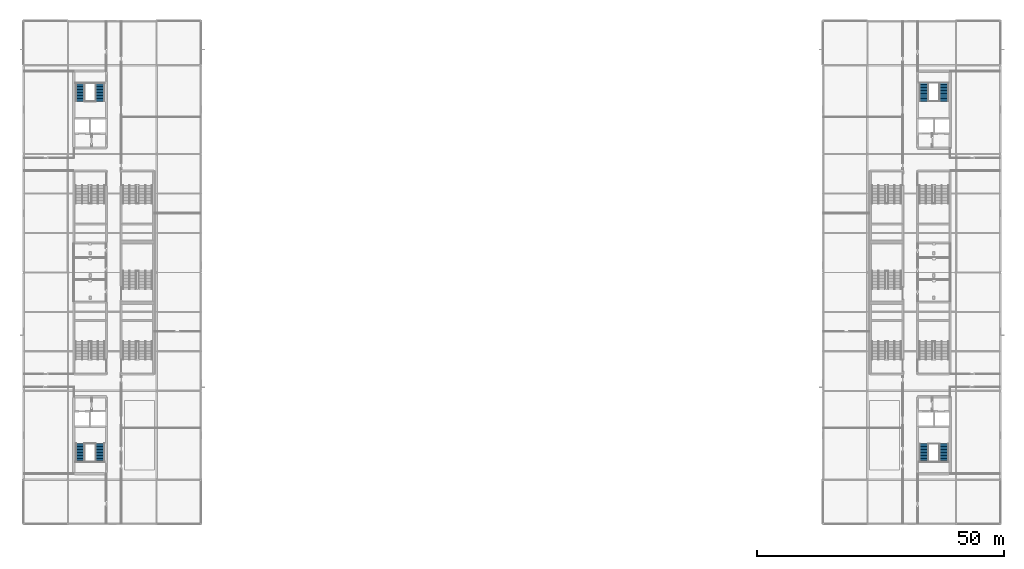
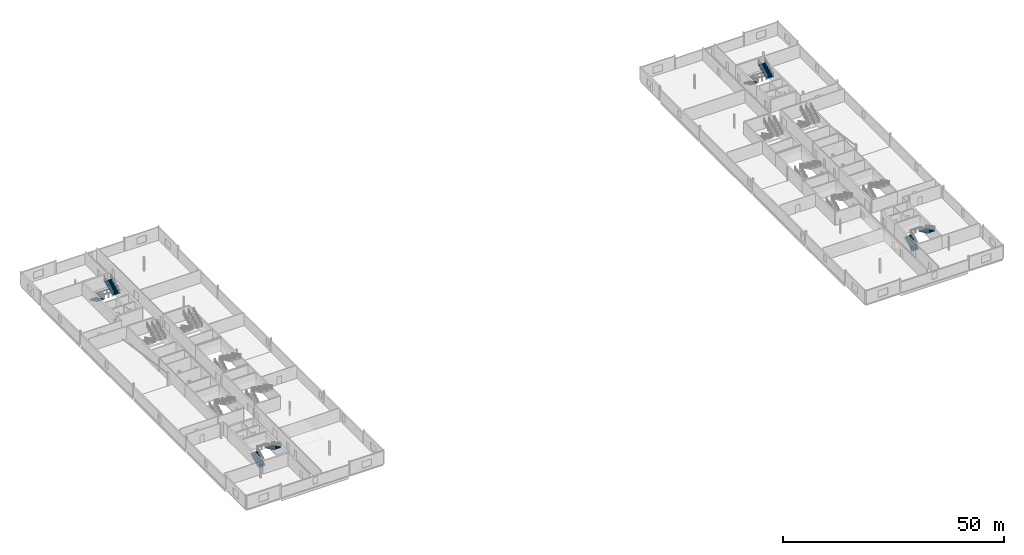
# One storey, part 21 of 31: 8 stair flights, 4 elements without a shape of their own.
"""IFC4 building model written with IfcOpenShell, lengths in metres."""

import ifcopenshell
import ifcopenshell.guid

model = None  # the IFC model being written
_history = None  # IfcOwnerHistory: only IFC2X3 demands one
_inside = {}  # id of a spatial element -> (the spatial element, [elements in it])
_under = {}  # id of a project, library or spatial element -> (it, [spatial elements below it])
_declared = {}  # id of a project -> (the project, [libraries it declares])
_typed = {}  # id of a type object -> (the type object, [elements of that type])
_made_of = {}  # id of a material, layer set ... -> (it, [elements and type objects made of it])


def new_model(schema):
    """Start an empty IFC model of exactly this schema.

    Asked for "IFC4X3", IfcOpenShell would pick the latest addendum, in which some entities
    have other attributes; the version numbers below select the first issue.
    IFC2X3 requires an IfcOwnerHistory on every rooted entity: one is made here for all.
    """
    global model, _history
    if schema == "IFC4X3":
        model = ifcopenshell.file(schema_version=(4, 3, 0, 0))
    else:
        model = ifcopenshell.file(schema=schema)
    _inside.clear()
    _under.clear()
    _declared.clear()
    _typed.clear()
    _made_of.clear()
    _history = None
    if model.schema == "IFC2X3":
        org = make("IfcOrganization", Name="unknown")
        user = make(
            "IfcPersonAndOrganization",
            ThePerson=make("IfcPerson", FamilyName="unknown"),
            TheOrganization=org,
        )
        app = make(
            "IfcApplication",
            ApplicationDeveloper=org,
            Version="unknown",
            ApplicationFullName="unknown",
            ApplicationIdentifier="unknown",
        )
        _history = make(
            "IfcOwnerHistory",
            OwningUser=user,
            OwningApplication=app,
            ChangeAction="ADDED",
            CreationDate=0,
        )
    return model


def make(cls, **values):
    """One entity of the class cls with the attributes given. An attribute that is None is left unset."""
    return model.create_entity(
        cls, **{name: value for name, value in values.items() if value is not None}
    )


def rooted(cls, **values):
    """An entity with a GlobalId (a new one), such as an element, a storey or a relation."""
    return make(cls, GlobalId=ifcopenshell.guid.new(), OwnerHistory=_history, **values)


def si_unit(unit_type, name, prefix=None):
    """IfcSIUnit, for example si_unit("LENGTHUNIT", "METRE", prefix="MILLI")."""
    return make("IfcSIUnit", UnitType=unit_type, Prefix=prefix, Name=name)


def assignment(units):
    """IfcUnitAssignment: the units of a project."""
    return None if units is None else make("IfcUnitAssignment", Units=units)


def point(xyz):
    """IfcCartesianPoint."""
    return None if xyz is None else make("IfcCartesianPoint", Coordinates=xyz)


def direction(xyz):
    """IfcDirection."""
    return None if xyz is None else make("IfcDirection", DirectionRatios=xyz)


def frame(location, z_axis=None, x_axis=None):
    """IfcAxis2Placement3D, a coordinate frame: its origin and axes. An axis left out is left unset."""
    return make(
        "IfcAxis2Placement3D",
        Location=point(location),
        Axis=direction(z_axis),
        RefDirection=direction(x_axis),
    )


def origin():
    """The frame at (0, 0, 0) with its axes left unset."""
    return frame((0.0, 0.0, 0.0))


def place(relative_to, where):
    """IfcLocalPlacement: puts the frame where relative to a parent placement (None: the world)."""
    return make(
        "IfcLocalPlacement", PlacementRelTo=relative_to, RelativePlacement=where
    )


def context(
    kind, dimensions, precision=None, world=None, true_north=None, identifier=None
):
    """IfcGeometricRepresentationContext, for example the 3D "Model" context."""
    return make(
        "IfcGeometricRepresentationContext",
        ContextIdentifier=identifier,
        ContextType=kind,
        CoordinateSpaceDimension=dimensions,
        Precision=precision,
        WorldCoordinateSystem=world,
        TrueNorth=true_north,
    )


def subcontext(parent, identifier, kind, view, scale=None):
    """IfcGeometricRepresentationSubContext, for example "Body" below "Model"."""
    return make(
        "IfcGeometricRepresentationSubContext",
        ContextIdentifier=identifier,
        ContextType=kind,
        ParentContext=parent,
        TargetScale=scale,
        TargetView=view,
    )


def project(units=None, contexts=None):
    """IfcProject with its units and contexts."""
    return rooted(
        "IfcProject",
        Name="project",
        RepresentationContexts=contexts,
        UnitsInContext=assignment(units),
    )


def spatial(cls, under=None, at=None, **own):
    """A site, building, storey or space (cls), placed at a placement, below another one or the project."""
    s = rooted(cls, ObjectPlacement=at, **own)
    if under is not None:
        _under.setdefault(under.id(), (under, []))[1].append(s)
    return s


def polyline(points):
    """IfcPolyline through the points."""
    return make("IfcPolyline", Points=[point(p) for p in points])


def outline(outer, holes=None, kind="AREA"):
    """IfcArbitraryClosedProfileDef: a profile drawn as a closed curve; with holes, ...WithVoids."""
    if holes is None:
        return make("IfcArbitraryClosedProfileDef", ProfileType=kind, OuterCurve=outer)
    return make(
        "IfcArbitraryProfileDefWithVoids",
        ProfileType=kind,
        OuterCurve=outer,
        InnerCurves=holes,
    )


def extrude(swept, where, along, depth):
    """IfcExtrudedAreaSolid: the profile swept, set in the frame where, extruded along a direction by depth."""
    return make(
        "IfcExtrudedAreaSolid",
        SweptArea=swept,
        Position=where,
        ExtrudedDirection=direction(along),
        Depth=depth,
    )


def shape(context_of_items, identifier, shape_type, items):
    """IfcShapeRepresentation: the items that make up one representation, for example the "Body"."""
    return make(
        "IfcShapeRepresentation",
        ContextOfItems=context_of_items,
        RepresentationIdentifier=identifier,
        RepresentationType=shape_type,
        Items=items,
    )


def material(Name=None, Category=None):
    """IfcMaterial."""
    return make("IfcMaterial", Name=Name, Category=Category)


def made_of(thing, what):
    """Note that an element or type object is made of a material, layer set ...; save() writes the relation."""
    if what is not None:
        _made_of.setdefault(what.id(), (what, []))[1].append(thing)
    return thing


def type_object(cls, material=None, **own):
    """A type object (cls), such as IfcWallType, which elements share."""
    return made_of(rooted(cls, **own), material)


def element(
    cls,
    number,
    at=None,
    inside=None,
    cuts=None,
    type_object=None,
    material=None,
    context=None,
    identifier="Body",
    shape_type=None,
    held_by="IfcProductDefinitionShape",
    body=None,
    shapes=None,
    **own,
):
    """One element of the class cls, such as IfcWall. Its Tag is "e" and its number.

    at: its placement. inside: the storey or other place that contains it. cuts: it is an
    opening in that element (IfcRelVoidsElement). A single representation is given by context,
    identifier, shape_type and body (its items); several are given by shapes. held_by: the class
    of the entity that holds the representations. save() writes the other relations.
    """
    e = rooted(cls, Tag="e%d" % number, ObjectPlacement=at, **own)
    if body is not None:
        shapes = [shape(context, identifier, shape_type, body)]
    if shapes is not None:
        e.Representation = make(held_by, Representations=shapes)
    if inside is not None:
        _inside.setdefault(inside.id(), (inside, []))[1].append(e)
    if cuts is not None:
        rooted(
            "IfcRelVoidsElement", RelatingBuildingElement=cuts, RelatedOpeningElement=e
        )
    if type_object is not None:
        _typed.setdefault(type_object.id(), (type_object, []))[1].append(e)
    return made_of(e, material)


def aggregate(whole, parts):
    """IfcRelAggregates: a whole, such as a stair, and the parts it consists of."""
    return rooted("IfcRelAggregates", RelatingObject=whole, RelatedObjects=parts)


def save(model, path):
    """Write the relations noted so far, then the file.

    IfcRelAggregates (storeys below a building ...), IfcRelContainedInSpatialStructure (elements
    in a storey), IfcRelDefinesByType, IfcRelAssociatesMaterial and IfcRelDeclares: one each for
    every whole, place, type object, material and project.
    """
    for whole, parts in _under.values():
        aggregate(whole, parts)
    for where, things in _inside.values():
        rooted(
            "IfcRelContainedInSpatialStructure",
            RelatedElements=things,
            RelatingStructure=where,
        )
    for kind, things in _typed.values():
        rooted("IfcRelDefinesByType", RelatedObjects=things, RelatingType=kind)
    for what, things in _made_of.values():
        rooted("IfcRelAssociatesMaterial", RelatedObjects=things, RelatingMaterial=what)
    for by, libraries in _declared.values():
        rooted("IfcRelDeclares", RelatingContext=by, RelatedDefinitions=libraries)
    model.write(path)


model = new_model("IFC4")

# Units and contexts
model_context = context("Model", 3, precision=1e-05, world=origin(), true_north=direction((0.0, 1.0)))
body_context = subcontext(model_context, "Body", "Model", "MODEL_VIEW")
ifc_project = project(units=[si_unit("LENGTHUNIT", "METRE"), si_unit("AREAUNIT", "SQUARE_METRE"), si_unit("VOLUMEUNIT", "CUBIC_METRE"), si_unit("PLANEANGLEUNIT", "RADIAN"), si_unit("MASSUNIT", "GRAM", prefix="KILO")], contexts=[model_context])

# Site, building, storey
site_placement = place(None, origin())
site = spatial("IfcSite", under=ifc_project, at=site_placement, CompositionType="ELEMENT")
building_placement = place(site_placement, origin())
building = spatial("IfcBuilding", under=site, at=building_placement, Name="Kisiwana Market Hall", CompositionType="ELEMENT")
storey_placement = place(building_placement, frame((0.0, 0.0, 45.60009765625)))
storey = spatial("IfcBuildingStorey", under=building, at=storey_placement, Name="L10", CompositionType="ELEMENT", Elevation=45.60009765625)

# Stair, stair flights
ifc_material_1 = material(Name="Concrete C32/40", Category="concrete")
stair_type = type_object("IfcStairType", Name="ST-TWR-3900", PredefinedType="TWO_STRAIGHT_RUN_STAIR", material=ifc_material_1)
stair_1_placement = place(storey_placement, origin())
stair_1 = element("IfcStair", 1, at=stair_1_placement, inside=storey, type_object=stair_type, Name="Escape stair ST-W2-L10", PredefinedType="TWO_STRAIGHT_RUN_STAIR")
ifc_material_2 = material(Name="Concrete C32/40", Category="concrete")
stair_flight_type = type_object("IfcStairFlightType", Name="SF-TWR-3900", PredefinedType="STRAIGHT", material=ifc_material_2)
stair_flight_1_placement = place(storey_placement, frame((11.5, 21.674560546875, 0.0), z_axis=(0.0, 0.0, 1.0), x_axis=(0.0, 1.0, 0.0)))
stair_flight_1 = element("IfcStairFlight", 2, at=stair_flight_1_placement, type_object=stair_flight_type, Name="ST-W2-L10 flight 1", NumberOfRisers=13, NumberOfTreads=12, PredefinedType="STRAIGHT", RiserHeight=0.15, TreadLength=0.305, context=body_context, shape_type="SweptSolid", body=[
    extrude(outline(polyline([(0.0, 0.0), (0.0, 0.14990234375), (0.304931640625, 0.14990234375), (0.304931640625, 0.300048828125), (0.610107421875, 0.300048828125), (0.610107421875, 0.449951171875), (0.9150390625, 0.449951171875), (0.9150390625, 0.60009765625), (1.219970703125, 0.60009765625), (1.219970703125, 0.75), (1.52490234375, 0.75), (1.52490234375, 0.89990234375), (1.830078125, 0.89990234375), (1.830078125, 1.050048828125), (2.135009765625, 1.050048828125), (2.135009765625, 1.199951171875), (2.43994140625, 1.199951171875), (2.43994140625, 1.35009765625), (2.7451171875, 1.35009765625), (2.7451171875, 1.5), (3.050048828125, 1.5), (3.050048828125, 1.64990234375), (3.35498046875, 1.64990234375), (3.35498046875, 1.800048828125), (3.659912109375, 1.800048828125), (3.659912109375, 1.949951171875), (3.659912109375, 1.599365234375), (0.40771484375, 0.0), (0.0, 0.0)])), frame((0.0, 0.925048828125, 0.0), z_axis=(0.0, -1.0, 0.0), x_axis=(1.0, 0.0, 0.0)), (0.0, 0.0, 1.0), 1.85009765625),
])
stair_flight_2_placement = place(storey_placement, frame((15.5, 25.33447265625, 1.949951171875), z_axis=(0.0, 0.0, 1.0), x_axis=(0.0, -1.0, 0.0)))
stair_flight_2 = element("IfcStairFlight", 3, at=stair_flight_2_placement, type_object=stair_flight_type, Name="ST-W2-L10 flight 2", NumberOfRisers=13, NumberOfTreads=12, PredefinedType="STRAIGHT", RiserHeight=0.15, TreadLength=0.305, context=body_context, shape_type="SweptSolid", body=[
    extrude(outline(polyline([(0.0, 0.0), (0.0, 0.14990234375), (0.304931640625, 0.14990234375), (0.304931640625, 0.300048828125), (0.610107421875, 0.300048828125), (0.610107421875, 0.449951171875), (0.9150390625, 0.449951171875), (0.9150390625, 0.60009765625), (1.219970703125, 0.60009765625), (1.219970703125, 0.75), (1.52490234375, 0.75), (1.52490234375, 0.89990234375), (1.830078125, 0.89990234375), (1.830078125, 1.050048828125), (2.135009765625, 1.050048828125), (2.135009765625, 1.199951171875), (2.43994140625, 1.199951171875), (2.43994140625, 1.35009765625), (2.7451171875, 1.35009765625), (2.7451171875, 1.5), (3.050048828125, 1.5), (3.050048828125, 1.64990234375), (3.35498046875, 1.64990234375), (3.35498046875, 1.800048828125), (3.659912109375, 1.800048828125), (3.659912109375, 1.949951171875), (3.659912109375, 1.599365234375), (0.40771484375, 0.0), (0.0, 0.0)])), frame((0.0, 0.925048828125, 0.0), z_axis=(0.0, -1.0, 0.0), x_axis=(1.0, 0.0, 0.0)), (0.0, 0.0, 1.0), 1.85009765625),
])
aggregate(stair_1, [stair_flight_1, stair_flight_2])

stair_2_placement = place(storey_placement, origin())
stair_2 = element("IfcStair", 4, at=stair_2_placement, inside=storey, type_object=stair_type, Name="Escape stair ST-W1-L10", PredefinedType="TWO_STRAIGHT_RUN_STAIR")
stair_flight_3_placement = place(storey_placement, frame((11.5, 98.325439453125, 0.0), z_axis=(0.0, 0.0, 1.0), x_axis=(0.0, -1.0, 0.0)))
stair_flight_3 = element("IfcStairFlight", 5, at=stair_flight_3_placement, type_object=stair_flight_type, Name="ST-W1-L10 flight 1", NumberOfRisers=13, NumberOfTreads=12, PredefinedType="STRAIGHT", RiserHeight=0.15, TreadLength=0.305, context=body_context, shape_type="SweptSolid", body=[
    extrude(outline(polyline([(0.0, 0.0), (0.0, 0.14990234375), (0.304931640625, 0.14990234375), (0.304931640625, 0.300048828125), (0.610107421875, 0.300048828125), (0.610107421875, 0.449951171875), (0.9150390625, 0.449951171875), (0.9150390625, 0.60009765625), (1.219970703125, 0.60009765625), (1.219970703125, 0.75), (1.52490234375, 0.75), (1.52490234375, 0.89990234375), (1.830078125, 0.89990234375), (1.830078125, 1.050048828125), (2.135009765625, 1.050048828125), (2.135009765625, 1.199951171875), (2.43994140625, 1.199951171875), (2.43994140625, 1.35009765625), (2.7451171875, 1.35009765625), (2.7451171875, 1.5), (3.050048828125, 1.5), (3.050048828125, 1.64990234375), (3.35498046875, 1.64990234375), (3.35498046875, 1.800048828125), (3.659912109375, 1.800048828125), (3.659912109375, 1.949951171875), (3.659912109375, 1.599365234375), (0.40771484375, 0.0), (0.0, 0.0)])), frame((0.0, 0.925048828125, 0.0), z_axis=(0.0, -1.0, 0.0), x_axis=(1.0, 0.0, 0.0)), (0.0, 0.0, 1.0), 1.85009765625),
])
stair_flight_4_placement = place(storey_placement, frame((15.5, 94.66552734375, 1.949951171875), z_axis=(0.0, 0.0, 1.0), x_axis=(0.0, 1.0, 0.0)))
stair_flight_4 = element("IfcStairFlight", 6, at=stair_flight_4_placement, type_object=stair_flight_type, Name="ST-W1-L10 flight 2", NumberOfRisers=13, NumberOfTreads=12, PredefinedType="STRAIGHT", RiserHeight=0.15, TreadLength=0.305, context=body_context, shape_type="SweptSolid", body=[
    extrude(outline(polyline([(0.0, 0.0), (0.0, 0.14990234375), (0.304931640625, 0.14990234375), (0.304931640625, 0.300048828125), (0.610107421875, 0.300048828125), (0.610107421875, 0.449951171875), (0.9150390625, 0.449951171875), (0.9150390625, 0.60009765625), (1.219970703125, 0.60009765625), (1.219970703125, 0.75), (1.52490234375, 0.75), (1.52490234375, 0.89990234375), (1.830078125, 0.89990234375), (1.830078125, 1.050048828125), (2.135009765625, 1.050048828125), (2.135009765625, 1.199951171875), (2.43994140625, 1.199951171875), (2.43994140625, 1.35009765625), (2.7451171875, 1.35009765625), (2.7451171875, 1.5), (3.050048828125, 1.5), (3.050048828125, 1.64990234375), (3.35498046875, 1.64990234375), (3.35498046875, 1.800048828125), (3.659912109375, 1.800048828125), (3.659912109375, 1.949951171875), (3.659912109375, 1.599365234375), (0.40771484375, 0.0), (0.0, 0.0)])), frame((0.0, 0.925048828125, 0.0), z_axis=(0.0, -1.0, 0.0), x_axis=(1.0, 0.0, 0.0)), (0.0, 0.0, 1.0), 1.85009765625),
])
aggregate(stair_2, [stair_flight_3, stair_flight_4])

stair_3_placement = place(storey_placement, origin())
stair_3 = element("IfcStair", 7, at=stair_3_placement, inside=storey, type_object=stair_type, Name="Escape stair ST-E2-L10", PredefinedType="TWO_STRAIGHT_RUN_STAIR")
stair_flight_5_placement = place(storey_placement, frame((182.47509765625, 21.6494140625, 0.0), z_axis=(0.0, 0.0, 1.0), x_axis=(0.0, 1.0, 0.0)))
stair_flight_5 = element("IfcStairFlight", 8, at=stair_flight_5_placement, type_object=stair_flight_type, Name="ST-E2-L10 flight 1", NumberOfRisers=13, NumberOfTreads=12, PredefinedType="STRAIGHT", RiserHeight=0.15, TreadLength=0.305, context=body_context, shape_type="SweptSolid", body=[
    extrude(outline(polyline([(0.0, 0.0), (0.0, 0.14990234375), (0.304931640625, 0.14990234375), (0.304931640625, 0.300048828125), (0.610107421875, 0.300048828125), (0.610107421875, 0.449951171875), (0.9150390625, 0.449951171875), (0.9150390625, 0.60009765625), (1.219970703125, 0.60009765625), (1.219970703125, 0.75), (1.52490234375, 0.75), (1.52490234375, 0.89990234375), (1.830078125, 0.89990234375), (1.830078125, 1.050048828125), (2.135009765625, 1.050048828125), (2.135009765625, 1.199951171875), (2.43994140625, 1.199951171875), (2.43994140625, 1.35009765625), (2.7451171875, 1.35009765625), (2.7451171875, 1.5), (3.050048828125, 1.5), (3.050048828125, 1.64990234375), (3.35498046875, 1.64990234375), (3.35498046875, 1.800048828125), (3.659912109375, 1.800048828125), (3.659912109375, 1.949951171875), (3.659912109375, 1.599365234375), (0.40771484375, 0.0), (0.0, 0.0)])), frame((0.0, 0.925048828125, 0.0), z_axis=(0.0, -1.0, 0.0), x_axis=(1.0, 0.0, 0.0)), (0.0, 0.0, 1.0), 1.85009765625),
])
stair_flight_6_placement = place(storey_placement, frame((186.52490234375, 25.3095703125, 1.949951171875), z_axis=(0.0, 0.0, 1.0), x_axis=(0.0, -1.0, 0.0)))
stair_flight_6 = element("IfcStairFlight", 9, at=stair_flight_6_placement, type_object=stair_flight_type, Name="ST-E2-L10 flight 2", NumberOfRisers=13, NumberOfTreads=12, PredefinedType="STRAIGHT", RiserHeight=0.15, TreadLength=0.305, context=body_context, shape_type="SweptSolid", body=[
    extrude(outline(polyline([(0.0, 0.0), (0.0, 0.14990234375), (0.304931640625, 0.14990234375), (0.304931640625, 0.300048828125), (0.610107421875, 0.300048828125), (0.610107421875, 0.449951171875), (0.9150390625, 0.449951171875), (0.9150390625, 0.60009765625), (1.219970703125, 0.60009765625), (1.219970703125, 0.75), (1.52490234375, 0.75), (1.52490234375, 0.89990234375), (1.830078125, 0.89990234375), (1.830078125, 1.050048828125), (2.135009765625, 1.050048828125), (2.135009765625, 1.199951171875), (2.43994140625, 1.199951171875), (2.43994140625, 1.35009765625), (2.7451171875, 1.35009765625), (2.7451171875, 1.5), (3.050048828125, 1.5), (3.050048828125, 1.64990234375), (3.35498046875, 1.64990234375), (3.35498046875, 1.800048828125), (3.659912109375, 1.800048828125), (3.659912109375, 1.949951171875), (3.659912109375, 1.599365234375), (0.40771484375, 0.0), (0.0, 0.0)])), frame((0.0, 0.925048828125, 0.0), z_axis=(0.0, -1.0, 0.0), x_axis=(1.0, 0.0, 0.0)), (0.0, 0.0, 1.0), 1.85009765625),
])
aggregate(stair_3, [stair_flight_5, stair_flight_6])

stair_4_placement = place(storey_placement, origin())
stair_4 = element("IfcStair", 10, at=stair_4_placement, inside=storey, type_object=stair_type, Name="Escape stair ST-E1-L10", PredefinedType="TWO_STRAIGHT_RUN_STAIR")
stair_flight_7_placement = place(storey_placement, frame((182.47509765625, 98.3505859375, 0.0), z_axis=(0.0, 0.0, 1.0), x_axis=(0.0, -1.0, 0.0)))
stair_flight_7 = element("IfcStairFlight", 11, at=stair_flight_7_placement, type_object=stair_flight_type, Name="ST-E1-L10 flight 1", NumberOfRisers=13, NumberOfTreads=12, PredefinedType="STRAIGHT", RiserHeight=0.15, TreadLength=0.305, context=body_context, shape_type="SweptSolid", body=[
    extrude(outline(polyline([(0.0, 0.0), (0.0, 0.14990234375), (0.304931640625, 0.14990234375), (0.304931640625, 0.300048828125), (0.610107421875, 0.300048828125), (0.610107421875, 0.449951171875), (0.9150390625, 0.449951171875), (0.9150390625, 0.60009765625), (1.219970703125, 0.60009765625), (1.219970703125, 0.75), (1.52490234375, 0.75), (1.52490234375, 0.89990234375), (1.830078125, 0.89990234375), (1.830078125, 1.050048828125), (2.135009765625, 1.050048828125), (2.135009765625, 1.199951171875), (2.43994140625, 1.199951171875), (2.43994140625, 1.35009765625), (2.7451171875, 1.35009765625), (2.7451171875, 1.5), (3.050048828125, 1.5), (3.050048828125, 1.64990234375), (3.35498046875, 1.64990234375), (3.35498046875, 1.800048828125), (3.659912109375, 1.800048828125), (3.659912109375, 1.949951171875), (3.659912109375, 1.599365234375), (0.40771484375, 0.0), (0.0, 0.0)])), frame((0.0, 0.925048828125, 0.0), z_axis=(0.0, -1.0, 0.0), x_axis=(1.0, 0.0, 0.0)), (0.0, 0.0, 1.0), 1.85009765625),
])
stair_flight_8_placement = place(storey_placement, frame((186.52490234375, 94.6904296875, 1.949951171875), z_axis=(0.0, 0.0, 1.0), x_axis=(0.0, 1.0, 0.0)))
stair_flight_8 = element("IfcStairFlight", 12, at=stair_flight_8_placement, type_object=stair_flight_type, Name="ST-E1-L10 flight 2", NumberOfRisers=13, NumberOfTreads=12, PredefinedType="STRAIGHT", RiserHeight=0.15, TreadLength=0.305, context=body_context, shape_type="SweptSolid", body=[
    extrude(outline(polyline([(0.0, 0.0), (0.0, 0.14990234375), (0.304931640625, 0.14990234375), (0.304931640625, 0.300048828125), (0.610107421875, 0.300048828125), (0.610107421875, 0.449951171875), (0.9150390625, 0.449951171875), (0.9150390625, 0.60009765625), (1.219970703125, 0.60009765625), (1.219970703125, 0.75), (1.52490234375, 0.75), (1.52490234375, 0.89990234375), (1.830078125, 0.89990234375), (1.830078125, 1.050048828125), (2.135009765625, 1.050048828125), (2.135009765625, 1.199951171875), (2.43994140625, 1.199951171875), (2.43994140625, 1.35009765625), (2.7451171875, 1.35009765625), (2.7451171875, 1.5), (3.050048828125, 1.5), (3.050048828125, 1.64990234375), (3.35498046875, 1.64990234375), (3.35498046875, 1.800048828125), (3.659912109375, 1.800048828125), (3.659912109375, 1.949951171875), (3.659912109375, 1.599365234375), (0.40771484375, 0.0), (0.0, 0.0)])), frame((0.0, 0.925048828125, 0.0), z_axis=(0.0, -1.0, 0.0), x_axis=(1.0, 0.0, 0.0)), (0.0, 0.0, 1.0), 1.85009765625),
])
aggregate(stair_4, [stair_flight_7, stair_flight_8])

save(model, "model.ifc")
